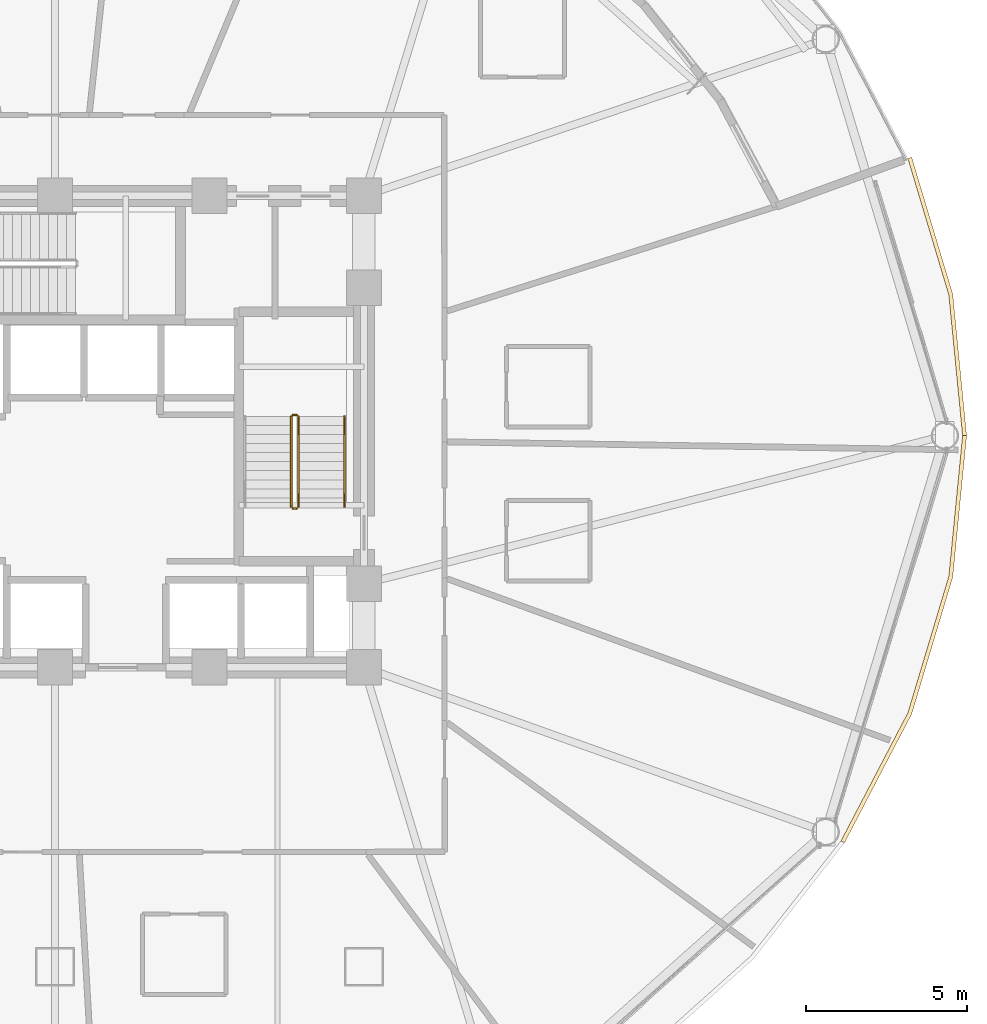
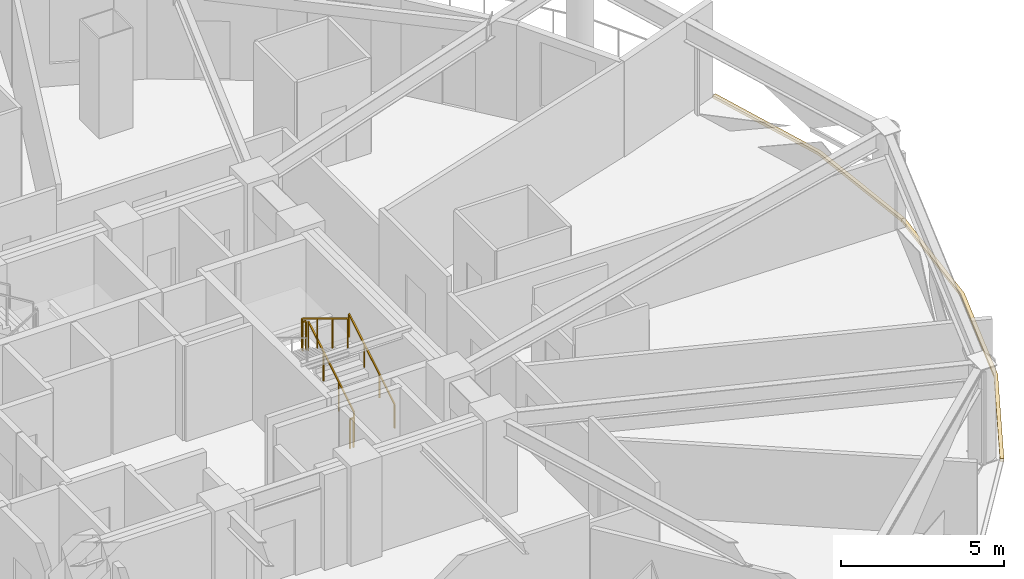
# One storey, part 32 of 33: 5 railings, 2 coverings.
"""IFC4 building model written with IfcOpenShell, lengths in metres."""

from ifc_helpers import new_model, si_unit, direction, frame, origin, origin_2d, place, context, subcontext, project, spatial, polyline, rectangle, outline, extrude, material, layer, layer_set, type_object, element, save


model = new_model("IFC4")

# Units and contexts
model_context = context("Model", 3, precision=1e-05, world=origin(), true_north=direction((0.0, 1.0)))
body_context = subcontext(model_context, "Body", "Model", "MODEL_VIEW")
ifc_project = project(units=[si_unit("LENGTHUNIT", "METRE"), si_unit("AREAUNIT", "SQUARE_METRE"), si_unit("VOLUMEUNIT", "CUBIC_METRE"), si_unit("PLANEANGLEUNIT", "RADIAN"), si_unit("MASSUNIT", "GRAM", prefix="KILO")], contexts=[model_context])

# Site, building, storey
site_placement = place(None, origin())
site = spatial("IfcSite", under=ifc_project, at=site_placement, CompositionType="ELEMENT")
building_placement = place(site_placement, origin())
building = spatial("IfcBuilding", under=site, at=building_placement, Name="Vantalir Tower", CompositionType="ELEMENT")
storey_placement = place(building_placement, frame((0.0, 0.0, 68.25)))
storey = spatial("IfcBuildingStorey", under=building, at=storey_placement, Name="L16", CompositionType="ELEMENT", Elevation=68.25)

# Coverings
ifc_material_1 = material(Name="Anodised champagne aluminium sill fascia", Category="aluminium")
ifc_layer = layer(ifc_material_1, 0.125)
ifc_layer_set = layer_set([ifc_layer], Name="Anodised champagne aluminium sill fascia")
covering_type = type_object("IfcCoveringType", Name="COV-SLAB-FASCIA-125", PredefinedType="CLADDING", material=ifc_layer_set)
covering_1_placement = place(storey_placement, frame((0.0, 0.0, -0.179931640625)))
element("IfcCovering", 1, at=covering_1_placement, inside=storey, type_object=covering_type, Name="L16 Perimeter Slab-Edge Sill Fascia 01", PredefinedType="CLADDING", context=body_context, shape_type="SweptSolid", body=[
    extrude(outline(polyline([(59.824951171875, 25.0), (59.39501953125, 29.39404296875), (58.116943359375, 33.654052734375), (57.9990234375, 33.612060546875), (59.27197265625, 29.3720703125), (59.699951171875, 25.0), (59.824951171875, 25.0)])), origin(), (0.0, 0.0, 1.0), 0.10498046875),
])
covering_2_placement = place(storey_placement, frame((0.0, 0.0, -0.179931640625)))
element("IfcCovering", 2, at=covering_2_placement, inside=storey, type_object=covering_type, Name="L16 Perimeter Slab-Edge Sill Fascia 12", PredefinedType="CLADDING", context=body_context, shape_type="SweptSolid", body=[
    extrude(outline(polyline([(56.030029296875, 12.347900390625), (58.116943359375, 16.345947265625), (59.39501953125, 20.60595703125), (59.824951171875, 25.0), (59.699951171875, 25.0), (59.27197265625, 20.6279296875), (57.9990234375, 16.387939453125), (55.922119140625, 12.409912109375), (56.030029296875, 12.347900390625)])), origin(), (0.0, 0.0, 1.0), 0.10498046875),
])

# Railings
ifc_material_2 = material(Name="Anodised aluminium and stainless steel guard", Category="steel")
railing_type_1 = type_object("IfcRailingType", Name="RAL-GUARD-1120", PredefinedType="GUARDRAIL", material=ifc_material_2)
railing_1_placement = place(storey_placement, frame((39.06005859375, 22.7900390625, 0.17041015625)))
element("IfcRailing", 3, at=railing_1_placement, inside=storey, type_object=railing_type_1, Name="L16 ST2 stair guard 1", PredefinedType="GUARDRAIL", context=body_context, shape_type="SweptSolid", body=[
    extrude(rectangle(XDim=0.048095703125, YDim=0.048095703125, at=origin_2d()), frame((0.0, 0.0, 1.09619140625), z_axis=(0.0, 0.854169791009, 0.51999420009), x_axis=(-1.0, 0.0, 0.0)), (0.0, 0.0, 1.0), 3.278076171875),
    extrude(rectangle(XDim=0.0419921875, YDim=0.0419921875, at=origin_2d()), origin(), (0.0, 0.0, 1.0), 1.072021484375),
    extrude(rectangle(XDim=0.0419921875, YDim=0.0419921875, at=origin_2d()), frame((0.0, 0.933349609375, 0.568115234375)), (0.0, 0.0, 1.0), 1.072021484375),
    extrude(rectangle(XDim=0.0419921875, YDim=0.0419921875, at=origin_2d()), frame((0.0, 1.86669921875, 1.136474609375)), (0.0, 0.0, 1.0), 1.072021484375),
    extrude(rectangle(XDim=0.0419921875, YDim=0.0419921875, at=origin_2d()), frame((0.0, 2.800048828125, 1.70458984375)), (0.0, 0.0, 1.0), 1.072021484375),
])
railing_2_placement = place(storey_placement, frame((39.010009765625, 25.639892578125, 1.875)))
element("IfcRailing", 4, at=railing_2_placement, inside=storey, type_object=railing_type_1, Name="L16 ST2 stair guard 2", PredefinedType="GUARDRAIL", context=body_context, shape_type="SweptSolid", body=[
    extrude(rectangle(XDim=0.048095703125, YDim=0.048095703125, at=origin_2d()), frame((0.0, 0.0, 1.09619140625), z_axis=(-1.0, 0.0, 0.0), x_axis=(0.0, -1.0, 0.0)), (0.0, 0.0, 1.0), 0.1201171875),
    extrude(rectangle(XDim=0.0419921875, YDim=0.0419921875, at=origin_2d()), origin(), (0.0, 0.0, 1.0), 1.072021484375),
    extrude(rectangle(XDim=0.0419921875, YDim=0.0419921875, at=origin_2d()), frame((-0.1201171875, 0.0, 0.0)), (0.0, 0.0, 1.0), 1.072021484375),
])
railing_3_placement = place(storey_placement, frame((38.840087890625, 25.590087890625, 2.04541015625)))
element("IfcRailing", 5, at=railing_3_placement, inside=storey, type_object=railing_type_1, Name="L16 ST2 stair guard 3", PredefinedType="GUARDRAIL", context=body_context, shape_type="SweptSolid", body=[
    extrude(rectangle(XDim=0.048095703125, YDim=0.048095703125, at=origin_2d()), frame((0.0, 0.0, 1.09619140625), z_axis=(0.0, -0.854169791009, 0.51999420009), x_axis=(1.0, 0.0, 0.0)), (0.0, 0.0, 1.0), 3.278076171875),
    extrude(rectangle(XDim=0.0419921875, YDim=0.0419921875, at=origin_2d()), origin(), (0.0, 0.0, 1.0), 1.072021484375),
    extrude(rectangle(XDim=0.0419921875, YDim=0.0419921875, at=origin_2d()), frame((0.0, -0.933349609375, 0.568115234375)), (0.0, 0.0, 1.0), 1.072021484375),
    extrude(rectangle(XDim=0.0419921875, YDim=0.0419921875, at=origin_2d()), frame((0.0, -1.86669921875, 1.136474609375)), (0.0, 0.0, 1.0), 1.072021484375),
    extrude(rectangle(XDim=0.0419921875, YDim=0.0419921875, at=origin_2d()), frame((0.0, -2.800048828125, 1.70458984375)), (0.0, 0.0, 1.0), 1.072021484375),
])
railing_4_placement = place(storey_placement, frame((39.010009765625, 22.739990234375, 0.0)))
element("IfcRailing", 6, at=railing_4_placement, inside=storey, type_object=railing_type_1, Name="L16 ST2 stair guard 4", PredefinedType="GUARDRAIL", context=body_context, shape_type="SweptSolid", body=[
    extrude(rectangle(XDim=0.048095703125, YDim=0.048095703125, at=origin_2d()), frame((0.0, 0.0, 1.09619140625), z_axis=(-1.0, 0.0, 0.0), x_axis=(0.0, -1.0, 0.0)), (0.0, 0.0, 1.0), 0.1201171875),
    extrude(rectangle(XDim=0.0419921875, YDim=0.0419921875, at=origin_2d()), origin(), (0.0, 0.0, 1.0), 1.072021484375),
    extrude(rectangle(XDim=0.0419921875, YDim=0.0419921875, at=origin_2d()), frame((-0.1201171875, 0.0, 0.0)), (0.0, 0.0, 1.0), 1.072021484375),
])
ifc_material_3 = material(Name="Brushed stainless steel tubular handrail", Category="steel")
railing_type_2 = type_object("IfcRailingType", Name="RAL-HANDRAIL-900", PredefinedType="HANDRAIL", material=ifc_material_3)
railing_5_placement = place(storey_placement, frame((40.5, 22.7900390625, 0.17041015625)))
element("IfcRailing", 7, at=railing_5_placement, inside=storey, type_object=railing_type_2, Name="L16 ST2 stair handrail 1", PredefinedType="HANDRAIL", context=body_context, shape_type="SweptSolid", body=[
    extrude(rectangle(XDim=0.048095703125, YDim=0.048095703125, at=origin_2d()), frame((0.0, 0.0, 0.8759765625), z_axis=(0.0, 0.854169791009, 0.51999420009), x_axis=(-1.0, 0.0, 0.0)), (0.0, 0.0, 1.0), 3.278076171875),
    extrude(rectangle(XDim=0.0419921875, YDim=0.0419921875, at=origin_2d()), origin(), (0.0, 0.0, 1.0), 0.851806640625),
    extrude(rectangle(XDim=0.0419921875, YDim=0.0419921875, at=origin_2d()), frame((0.0, 0.933349609375, 0.568115234375)), (0.0, 0.0, 1.0), 0.851806640625),
    extrude(rectangle(XDim=0.0419921875, YDim=0.0419921875, at=origin_2d()), frame((0.0, 1.86669921875, 1.136474609375)), (0.0, 0.0, 1.0), 0.851806640625),
    extrude(rectangle(XDim=0.0419921875, YDim=0.0419921875, at=origin_2d()), frame((0.0, 2.800048828125, 1.70458984375)), (0.0, 0.0, 1.0), 0.851806640625),
])

save(model, "model.ifc")
